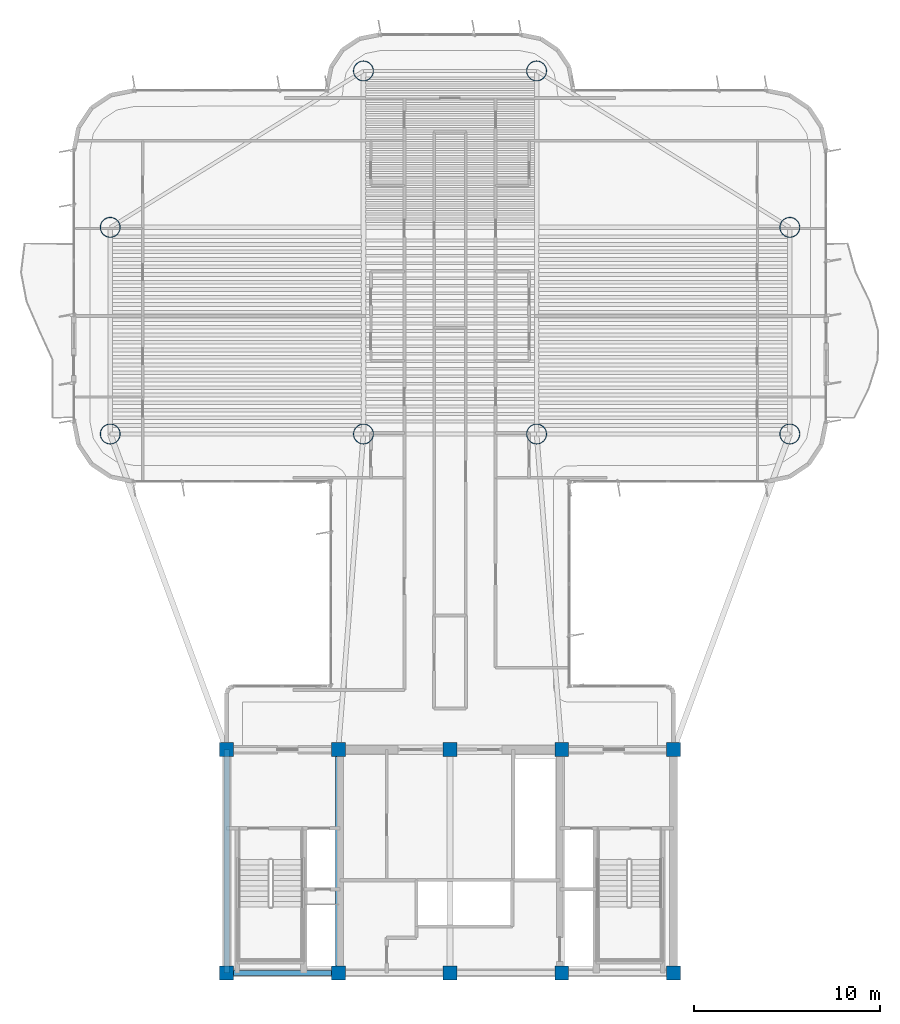
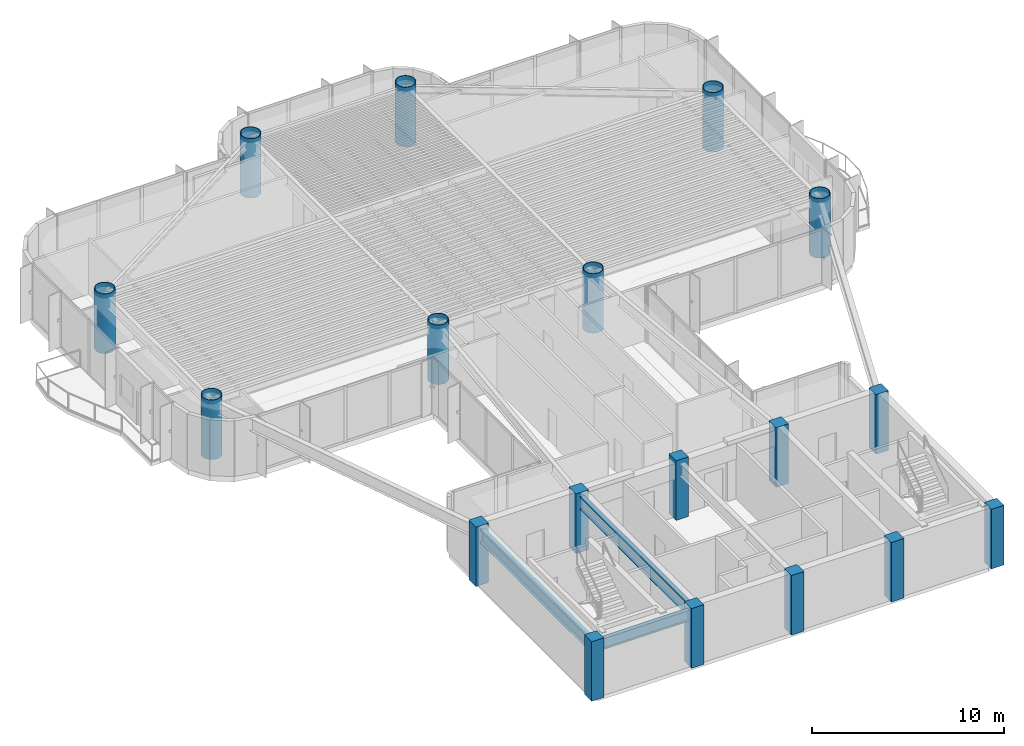
# One storey, part 1 of 15: 18 columns, 3 beams.
"""IFC4 building model written with IfcOpenShell, lengths in metres."""

import ifcopenshell
import ifcopenshell.guid

model = None  # the IFC model being written
_history = None  # IfcOwnerHistory: only IFC2X3 demands one
_inside = {}  # id of a spatial element -> (the spatial element, [elements in it])
_under = {}  # id of a project, library or spatial element -> (it, [spatial elements below it])
_declared = {}  # id of a project -> (the project, [libraries it declares])
_typed = {}  # id of a type object -> (the type object, [elements of that type])
_made_of = {}  # id of a material, layer set ... -> (it, [elements and type objects made of it])


def new_model(schema):
    """Start an empty IFC model of exactly this schema.

    Asked for "IFC4X3", IfcOpenShell would pick the latest addendum, in which some entities
    have other attributes; the version numbers below select the first issue.
    IFC2X3 requires an IfcOwnerHistory on every rooted entity: one is made here for all.
    """
    global model, _history
    if schema == "IFC4X3":
        model = ifcopenshell.file(schema_version=(4, 3, 0, 0))
    else:
        model = ifcopenshell.file(schema=schema)
    _inside.clear()
    _under.clear()
    _declared.clear()
    _typed.clear()
    _made_of.clear()
    _history = None
    if model.schema == "IFC2X3":
        org = make("IfcOrganization", Name="unknown")
        user = make(
            "IfcPersonAndOrganization",
            ThePerson=make("IfcPerson", FamilyName="unknown"),
            TheOrganization=org,
        )
        app = make(
            "IfcApplication",
            ApplicationDeveloper=org,
            Version="unknown",
            ApplicationFullName="unknown",
            ApplicationIdentifier="unknown",
        )
        _history = make(
            "IfcOwnerHistory",
            OwningUser=user,
            OwningApplication=app,
            ChangeAction="ADDED",
            CreationDate=0,
        )
    return model


def make(cls, **values):
    """One entity of the class cls with the attributes given. An attribute that is None is left unset."""
    return model.create_entity(
        cls, **{name: value for name, value in values.items() if value is not None}
    )


def rooted(cls, **values):
    """An entity with a GlobalId (a new one), such as an element, a storey or a relation."""
    return make(cls, GlobalId=ifcopenshell.guid.new(), OwnerHistory=_history, **values)


def si_unit(unit_type, name, prefix=None):
    """IfcSIUnit, for example si_unit("LENGTHUNIT", "METRE", prefix="MILLI")."""
    return make("IfcSIUnit", UnitType=unit_type, Prefix=prefix, Name=name)


def assignment(units):
    """IfcUnitAssignment: the units of a project."""
    return None if units is None else make("IfcUnitAssignment", Units=units)


def point(xyz):
    """IfcCartesianPoint."""
    return None if xyz is None else make("IfcCartesianPoint", Coordinates=xyz)


def direction(xyz):
    """IfcDirection."""
    return None if xyz is None else make("IfcDirection", DirectionRatios=xyz)


def frame(location, z_axis=None, x_axis=None):
    """IfcAxis2Placement3D, a coordinate frame: its origin and axes. An axis left out is left unset."""
    return make(
        "IfcAxis2Placement3D",
        Location=point(location),
        Axis=direction(z_axis),
        RefDirection=direction(x_axis),
    )


def frame_2d(location, x_axis=None):
    """IfcAxis2Placement2D, a coordinate frame in the plane: its origin and x axis."""
    return make(
        "IfcAxis2Placement2D", Location=point(location), RefDirection=direction(x_axis)
    )


def origin():
    """The frame at (0, 0, 0) with its axes left unset."""
    return frame((0.0, 0.0, 0.0))


def origin_2d():
    """The frame at (0, 0) in the plane with its x axis left unset."""
    return frame_2d((0.0, 0.0))


def place(relative_to, where):
    """IfcLocalPlacement: puts the frame where relative to a parent placement (None: the world)."""
    return make(
        "IfcLocalPlacement", PlacementRelTo=relative_to, RelativePlacement=where
    )


def context(
    kind, dimensions, precision=None, world=None, true_north=None, identifier=None
):
    """IfcGeometricRepresentationContext, for example the 3D "Model" context."""
    return make(
        "IfcGeometricRepresentationContext",
        ContextIdentifier=identifier,
        ContextType=kind,
        CoordinateSpaceDimension=dimensions,
        Precision=precision,
        WorldCoordinateSystem=world,
        TrueNorth=true_north,
    )


def subcontext(parent, identifier, kind, view, scale=None):
    """IfcGeometricRepresentationSubContext, for example "Body" below "Model"."""
    return make(
        "IfcGeometricRepresentationSubContext",
        ContextIdentifier=identifier,
        ContextType=kind,
        ParentContext=parent,
        TargetScale=scale,
        TargetView=view,
    )


def project(units=None, contexts=None):
    """IfcProject with its units and contexts."""
    return rooted(
        "IfcProject",
        Name="project",
        RepresentationContexts=contexts,
        UnitsInContext=assignment(units),
    )


def spatial(cls, under=None, at=None, **own):
    """A site, building, storey or space (cls), placed at a placement, below another one or the project."""
    s = rooted(cls, ObjectPlacement=at, **own)
    if under is not None:
        _under.setdefault(under.id(), (under, []))[1].append(s)
    return s


def profile(cls, at=None, kind="AREA", **sizes):
    """A parametric profile (cls). Its sizes go by their IFC names, for example OverallWidth=200.0."""
    return make(cls, ProfileType=kind, Position=at, **sizes)


def rectangle(**sizes):
    """IfcRectangleProfileDef."""
    return profile("IfcRectangleProfileDef", **sizes)


def hollow_circle(**sizes):
    """IfcCircleHollowProfileDef."""
    return profile("IfcCircleHollowProfileDef", **sizes)


def i_section(**sizes):
    """IfcIShapeProfileDef."""
    return profile("IfcIShapeProfileDef", **sizes)


def extrude(swept, where, along, depth):
    """IfcExtrudedAreaSolid: the profile swept, set in the frame where, extruded along a direction by depth."""
    return make(
        "IfcExtrudedAreaSolid",
        SweptArea=swept,
        Position=where,
        ExtrudedDirection=direction(along),
        Depth=depth,
    )


def shape(context_of_items, identifier, shape_type, items):
    """IfcShapeRepresentation: the items that make up one representation, for example the "Body"."""
    return make(
        "IfcShapeRepresentation",
        ContextOfItems=context_of_items,
        RepresentationIdentifier=identifier,
        RepresentationType=shape_type,
        Items=items,
    )


def source(mapping_origin, context_of_items, identifier, shape_type, items):
    """IfcRepresentationMap: a shape defined once, which mapped items show again and again."""
    return make(
        "IfcRepresentationMap",
        MappingOrigin=mapping_origin,
        MappedRepresentation=shape(context_of_items, identifier, shape_type, items),
    )


def transform(
    local_origin,
    x_axis=None,
    y_axis=None,
    z_axis=None,
    scale=None,
    scale2=None,
    scale3=None,
    uniform=True,
):
    """IfcCartesianTransformationOperator3D, or its non-uniform kind. x_axis, y_axis, z_axis: its Axis1, 2, 3."""
    if uniform:
        return make(
            "IfcCartesianTransformationOperator3D",
            Axis1=direction(x_axis),
            Axis2=direction(y_axis),
            LocalOrigin=point(local_origin),
            Scale=scale,
            Axis3=direction(z_axis),
        )
    return make(
        "IfcCartesianTransformationOperator3DnonUniform",
        Axis1=direction(x_axis),
        Axis2=direction(y_axis),
        LocalOrigin=point(local_origin),
        Scale=scale,
        Axis3=direction(z_axis),
        Scale2=scale2,
        Scale3=scale3,
    )


def mapped(mapping_source, mapping_target):
    """IfcMappedItem: shows the shape of a source again, moved by a transform."""
    return make(
        "IfcMappedItem", MappingSource=mapping_source, MappingTarget=mapping_target
    )


def material(Name=None, Category=None):
    """IfcMaterial."""
    return make("IfcMaterial", Name=Name, Category=Category)


def material_profile(
    of_material, cross_section, Name=None, Category=None, Priority=None
):
    """IfcMaterialProfile: a cross section and its material."""
    return make(
        "IfcMaterialProfile",
        Name=Name,
        Material=of_material,
        Profile=cross_section,
        Priority=Priority,
        Category=Category,
    )


def profile_set(profiles, Name=None, composite=None):
    """IfcMaterialProfileSet."""
    return make(
        "IfcMaterialProfileSet",
        Name=Name,
        MaterialProfiles=profiles,
        CompositeProfile=composite,
    )


def made_of(thing, what):
    """Note that an element or type object is made of a material, layer set ...; save() writes the relation."""
    if what is not None:
        _made_of.setdefault(what.id(), (what, []))[1].append(thing)
    return thing


def type_object(cls, material=None, **own):
    """A type object (cls), such as IfcWallType, which elements share."""
    return made_of(rooted(cls, **own), material)


def element(
    cls,
    number,
    at=None,
    inside=None,
    cuts=None,
    type_object=None,
    material=None,
    context=None,
    identifier="Body",
    shape_type=None,
    held_by="IfcProductDefinitionShape",
    body=None,
    shapes=None,
    **own,
):
    """One element of the class cls, such as IfcWall. Its Tag is "e" and its number.

    at: its placement. inside: the storey or other place that contains it. cuts: it is an
    opening in that element (IfcRelVoidsElement). A single representation is given by context,
    identifier, shape_type and body (its items); several are given by shapes. held_by: the class
    of the entity that holds the representations. save() writes the other relations.
    """
    e = rooted(cls, Tag="e%d" % number, ObjectPlacement=at, **own)
    if body is not None:
        shapes = [shape(context, identifier, shape_type, body)]
    if shapes is not None:
        e.Representation = make(held_by, Representations=shapes)
    if inside is not None:
        _inside.setdefault(inside.id(), (inside, []))[1].append(e)
    if cuts is not None:
        rooted(
            "IfcRelVoidsElement", RelatingBuildingElement=cuts, RelatedOpeningElement=e
        )
    if type_object is not None:
        _typed.setdefault(type_object.id(), (type_object, []))[1].append(e)
    return made_of(e, material)


def aggregate(whole, parts):
    """IfcRelAggregates: a whole, such as a stair, and the parts it consists of."""
    return rooted("IfcRelAggregates", RelatingObject=whole, RelatedObjects=parts)


def save(model, path):
    """Write the relations noted so far, then the file.

    IfcRelAggregates (storeys below a building ...), IfcRelContainedInSpatialStructure (elements
    in a storey), IfcRelDefinesByType, IfcRelAssociatesMaterial and IfcRelDeclares: one each for
    every whole, place, type object, material and project.
    """
    for whole, parts in _under.values():
        aggregate(whole, parts)
    for where, things in _inside.values():
        rooted(
            "IfcRelContainedInSpatialStructure",
            RelatedElements=things,
            RelatingStructure=where,
        )
    for kind, things in _typed.values():
        rooted("IfcRelDefinesByType", RelatedObjects=things, RelatingType=kind)
    for what, things in _made_of.values():
        rooted("IfcRelAssociatesMaterial", RelatedObjects=things, RelatingMaterial=what)
    for by, libraries in _declared.values():
        rooted("IfcRelDeclares", RelatingContext=by, RelatedDefinitions=libraries)
    model.write(path)


model = new_model("IFC4")

# Units and contexts
model_context = context("Model", 3, precision=1e-05, world=origin(), true_north=direction((0.0, 1.0)))
body_context = subcontext(model_context, "Body", "Model", "MODEL_VIEW")
ifc_project = project(units=[si_unit("LENGTHUNIT", "METRE"), si_unit("AREAUNIT", "SQUARE_METRE"), si_unit("VOLUMEUNIT", "CUBIC_METRE"), si_unit("PLANEANGLEUNIT", "RADIAN"), si_unit("MASSUNIT", "GRAM", prefix="KILO")], contexts=[model_context])

# Site, building, storey
site_placement = place(None, origin())
site = spatial("IfcSite", under=ifc_project, at=site_placement, CompositionType="ELEMENT")
building_placement = place(site_placement, origin())
building = spatial("IfcBuilding", under=site, at=building_placement, Name="Brelvock Crest Care Tower", CompositionType="ELEMENT")
storey_placement = place(building_placement, frame((0.0, 0.0, 156.419921875)))
storey = spatial("IfcBuildingStorey", under=building, at=storey_placement, Name="L39", CompositionType="ELEMENT", Elevation=156.419921875)

# Columns
ifc_material_1 = material(Name="Concrete S65 (65 MPa)", Category="concrete")
ifc_material_profile_1 = material_profile(ifc_material_1, rectangle(XDim=0.75, YDim=0.75, at=origin_2d()), Name="RC750x750")
ifc_profile_set_1 = profile_set([ifc_material_profile_1], Name="Concrete S65 (65 MPa)")
column_type_1 = type_object("IfcColumnType", Name="COL-RC3", PredefinedType="COLUMN", material=ifc_profile_set_1)
shared_shape_1 = source(origin(), body_context, "Body", "SweptSolid", [
    extrude(rectangle(XDim=0.75, YDim=0.75, at=origin_2d()), origin(), (0.0, 0.0, 1.0), 3.780029296875),
])
for number, where, z_axis, x_axis, name in (
    (1, (24.0, 6.0, 0.0), (0.0, 0.0, 1.0), (1.0, 0.0, 0.0), "L39 Core Column CC-01"),
    (2, (30.0, 6.0, 0.0), (0.0, 0.0, 1.0), (1.0, 0.0, 0.0), "L39 Core Column CC-02"),
    (3, (36.0, 6.0, 0.0), (0.0, 0.0, 1.0), (1.0, 0.0, 0.0), "L39 Core Column CC-03"),
    (4, (42.0, 6.0, 0.0), (0.0, 0.0, 1.0), (1.0, 0.0, 0.0), "L39 Core Column CC-04"),
    (5, (48.0, 6.0, 0.0), (0.0, 0.0, 1.0), (1.0, 0.0, 0.0), "L39 Core Column CC-05"),
    (6, (24.0, 18.0, 0.0), (0.0, 0.0, 1.0), (1.0, 0.0, 0.0), "L39 Core Column CC-06"),
    (7, (30.0, 18.0, 0.0), (0.0, 0.0, 1.0), (1.0, 0.0, 0.0), "L39 Core Column CC-07"),
    (8, (36.0, 18.0, 0.0), (0.0, 0.0, 1.0), (1.0, 0.0, 0.0), "L39 Core Column CC-08"),
    (9, (42.0, 18.0, 0.0), (0.0, 0.0, 1.0), (1.0, 0.0, 0.0), "L39 Core Column CC-09"),
    (10, (48.0, 18.0, 0.0), (0.0, 0.0, 1.0), (1.0, 0.0, 0.0), "L39 Core Column CC-10"),
):
    element("IfcColumn", number, at=place(storey_placement, frame(where, z_axis=z_axis, x_axis=x_axis)), inside=storey, type_object=column_type_1, Name=name, PredefinedType="COLUMN", context=body_context, shape_type="MappedRepresentation", body=[
        mapped(shared_shape_1, transform((0.0, 0.0, 0.0), x_axis=(1.0, 0.0, 0.0), y_axis=(0.0, 1.0, 0.0), z_axis=(0.0, 0.0, 1.0), scale=1.0)),
    ])
ifc_material_2 = material(Name="Steel Grade 350", Category="steel")
ifc_material_profile_2 = material_profile(ifc_material_2, hollow_circle(Radius=0.550048828125, WallThickness=0.0400390625, at=origin_2d()), Name="CFT1100x40")
ifc_profile_set_2 = profile_set([ifc_material_profile_2], Name="Steel Grade 350")
column_type_2 = type_object("IfcColumnType", Name="COL-MC3", PredefinedType="COLUMN", material=ifc_profile_set_2)
shared_shape_2 = source(origin(), body_context, "Body", "SweptSolid", [
    extrude(hollow_circle(Radius=0.550048828125, WallThickness=0.0400390625, at=origin_2d()), origin(), (0.0, 0.0, 1.0), 3.780029296875),
])
for number, where, z_axis, x_axis, name in (
    (11, (17.75, 34.949951171875, 0.0), (0.0, 0.0, 1.0), (1.0, 0.0, 0.0), "L39 Tower Column M1"),
    (12, (17.75, 46.050048828125, 0.0), (0.0, 0.0, 1.0), (1.0, 0.0, 0.0), "L39 Tower Column M2"),
    (13, (54.25, 34.949951171875, 0.0), (0.0, 0.0, 1.0), (1.0, 0.0, 0.0), "L39 Tower Column M3"),
    (14, (54.25, 46.050048828125, 0.0), (0.0, 0.0, 1.0), (1.0, 0.0, 0.0), "L39 Tower Column M4"),
    (15, (31.35009765625, 34.949951171875, 0.0), (0.0, 0.0, 1.0), (1.0, 0.0, 0.0), "L39 Tower Column M5"),
    (16, (40.64990234375, 34.949951171875, 0.0), (0.0, 0.0, 1.0), (1.0, 0.0, 0.0), "L39 Tower Column M6"),
    (17, (31.35009765625, 54.449951171875, 0.0), (0.0, 0.0, 1.0), (1.0, 0.0, 0.0), "L39 Tower Column M7"),
    (18, (40.64990234375, 54.449951171875, 0.0), (0.0, 0.0, 1.0), (1.0, 0.0, 0.0), "L39 Tower Column M8"),
):
    element("IfcColumn", number, at=place(storey_placement, frame(where, z_axis=z_axis, x_axis=x_axis)), inside=storey, type_object=column_type_2, Name=name, PredefinedType="COLUMN", context=body_context, shape_type="MappedRepresentation", body=[
        mapped(shared_shape_2, transform((0.0, 0.0, 0.0), x_axis=(1.0, 0.0, 0.0), y_axis=(0.0, 1.0, 0.0), z_axis=(0.0, 0.0, 1.0), scale=1.0)),
    ])

# Beams
ifc_material_profile_3 = material_profile(ifc_material_2, i_section(OverallWidth=0.25, OverallDepth=0.699951171875, WebThickness=0.011962890625, FlangeThickness=0.02001953125, at=origin_2d()), Name="700WB150")
ifc_profile_set_3 = profile_set([ifc_material_profile_3], Name="Steel Grade 350")
beam_type_1 = type_object("IfcBeamType", Name="BM-G4", PredefinedType="BEAM", material=ifc_profile_set_3)
shared_shape_3 = source(origin(), body_context, "Body", "SweptSolid", [
    extrude(i_section(OverallWidth=0.25, OverallDepth=0.699951171875, WebThickness=0.011962890625, FlangeThickness=0.02001953125, at=origin_2d()), origin(), (0.0, 0.0, 1.0), 6.0),
])
beam_placement = place(storey_placement, frame((24.0, 6.0, 3.18017578125), z_axis=(1.0, 0.0, 0.0), x_axis=(0.0, 1.0, 0.0)))
element("IfcBeam", 19, at=beam_placement, inside=storey, type_object=beam_type_1, Name="BM-CORES-L39-1", PredefinedType="BEAM", context=body_context, shape_type="MappedRepresentation", body=[
    mapped(shared_shape_3, transform((0.0, 0.0, 0.0), x_axis=(1.0, 0.0, 0.0), y_axis=(0.0, 1.0, 0.0), z_axis=(0.0, 0.0, 1.0), scale=1.0)),
])
ifc_material_profile_4 = material_profile(ifc_material_2, i_section(OverallWidth=0.300048828125, OverallDepth=0.800048828125, WebThickness=0.013916015625, FlangeThickness=0.02197265625, at=origin_2d()), Name="800WB192")
ifc_profile_set_4 = profile_set([ifc_material_profile_4], Name="Steel Grade 350")
beam_type_2 = type_object("IfcBeamType", Name="BM-G5", PredefinedType="BEAM", material=ifc_profile_set_4)
shared_shape_4 = source(origin(), body_context, "Body", "SweptSolid", [
    extrude(i_section(OverallWidth=0.300048828125, OverallDepth=0.800048828125, WebThickness=0.013916015625, FlangeThickness=0.02197265625, at=origin_2d()), origin(), (0.0, 0.0, 1.0), 12.0),
])
for number, where, z_axis, x_axis, name in (
    (20, (24.0, 6.0, 3.130126953125), (0.0, 1.0, 0.0), (-1.0, 0.0, 0.0), "BM-COREX-L39-1"),
    (21, (30.0, 6.0, 3.130126953125), (0.0, 1.0, 0.0), (-1.0, 0.0, 0.0), "BM-COREX-L39-2"),
):
    element("IfcBeam", number, at=place(storey_placement, frame(where, z_axis=z_axis, x_axis=x_axis)), inside=storey, type_object=beam_type_2, Name=name, PredefinedType="BEAM", context=body_context, shape_type="MappedRepresentation", body=[
        mapped(shared_shape_4, transform((0.0, 0.0, 0.0), x_axis=(1.0, 0.0, 0.0), y_axis=(0.0, 1.0, 0.0), z_axis=(0.0, 0.0, 1.0), scale=1.0)),
    ])

save(model, "model.ifc")
